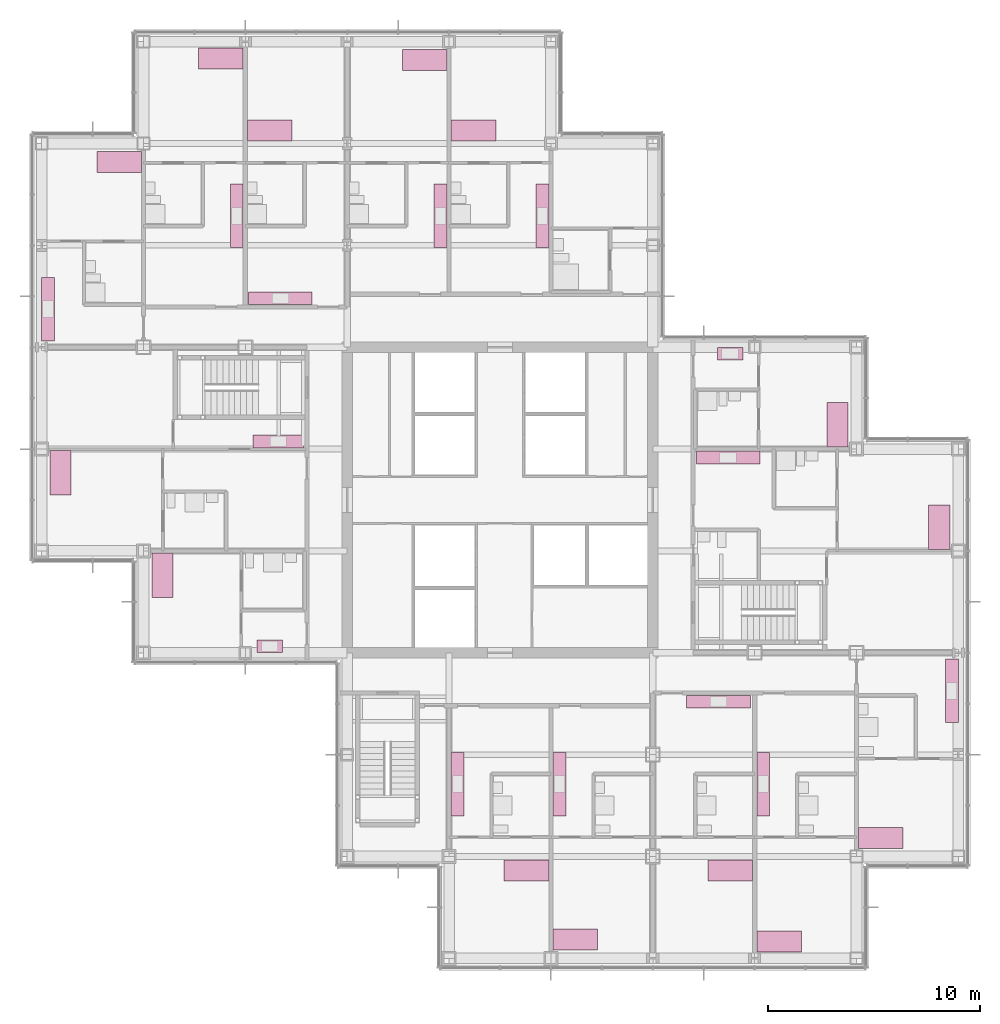
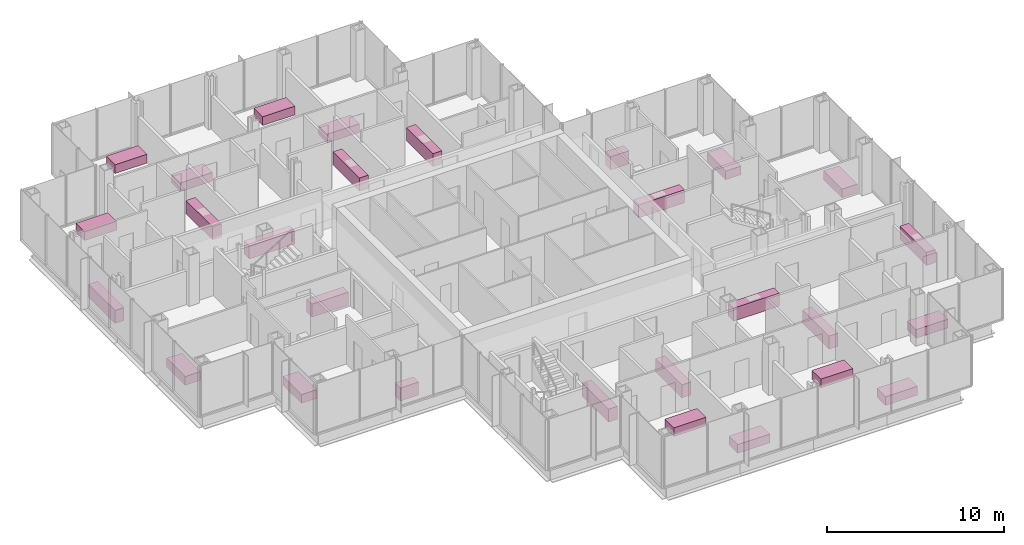
# One storey, part 19 of 19: 28 furniture elements.
"""IFC4 building model written with IfcOpenShell, lengths in metres."""

from ifc_helpers import new_model, si_unit, direction, frame, origin, origin_2d, place, context, subcontext, project, spatial, rectangle, extrude, material, type_object, element, save


model = new_model("IFC4")

# Units and contexts
model_context = context("Model", 3, precision=1e-05, world=origin(), true_north=direction((0.0, 1.0)))
body_context = subcontext(model_context, "Body", "Model", "MODEL_VIEW")
ifc_project = project(units=[si_unit("LENGTHUNIT", "METRE"), si_unit("AREAUNIT", "SQUARE_METRE"), si_unit("VOLUMEUNIT", "CUBIC_METRE"), si_unit("PLANEANGLEUNIT", "RADIAN"), si_unit("MASSUNIT", "GRAM", prefix="KILO")], contexts=[model_context])

# Site, building, storey
site_placement = place(None, origin())
site = spatial("IfcSite", under=ifc_project, at=site_placement, CompositionType="ELEMENT")
building_placement = place(site_placement, origin())
building = spatial("IfcBuilding", under=site, at=building_placement, Name="Kvirike Care Tower", CompositionType="ELEMENT")
storey_placement = place(building_placement, frame((0.0, 0.0, 87.5)))
storey = spatial("IfcBuildingStorey", under=building, at=storey_placement, Name="L23", CompositionType="ELEMENT", Elevation=87.5)

# Furniture
ifc_material_1 = material(Name="Steel frame", Category="steel")
furniture_type_1 = type_object("IfcFurnitureType", Name="CARE BED 1000 x 2100", AssemblyPlace="FACTORY", PredefinedType="BED", material=ifc_material_1)
for number, where, z_axis, x_axis, name in (
    (1, (0.89501953125, 37.2880859375, 0.0), (0.0, 0.0, 1.0), (1.0, 0.0, 0.0), "Care bed L23-004"),
    (2, (5.695068359375, 32.447998046875, 0.0), (0.0, 0.0, 1.0), (1.0, 0.0, 0.0), "Care bed L23-008"),
    (3, (10.751953125, 53.409912109375, 0.0), (0.0, 0.0, 1.0), (0.0, 1.0, 0.0), "Care bed L23-012"),
    (4, (8.447998046875, 56.802978515625, 0.0), (0.0, 0.0, 1.0), (0.0, -1.0, 0.0), "Care bed L23-015"),
    (5, (3.64794921875, 51.929931640625, 0.0), (0.0, 0.0, 1.0), (0.0, -1.0, 0.0), "Care bed L23-018"),
    (6, (22.847900390625, 18.5400390625, 0.0), (0.0, 0.0, 1.0), (0.0, -1.0, 0.0), "Care bed L23-024"),
    (7, (25.152099609375, 15.294921875, 0.0), (0.0, 0.0, 1.0), (0.0, 1.0, 0.0), "Care bed L23-027"),
    (8, (20.35205078125, 53.409912109375, 0.0), (0.0, 0.0, 1.0), (0.0, 1.0, 0.0), "Care bed L23-034"),
    (9, (18.048095703125, 56.72998046875, 0.0), (0.0, 0.0, 1.0), (0.0, -1.0, 0.0), "Care bed L23-037"),
    (10, (32.447998046875, 18.5400390625, 0.0), (0.0, 0.0, 1.0), (0.0, -1.0, 0.0), "Care bed L23-041"),
    (11, (34.751953125, 15.197021484375, 0.0), (0.0, 0.0, 1.0), (0.0, 1.0, 0.0), "Care bed L23-044"),
    (12, (39.552001953125, 20.070068359375, 0.0), (0.0, 0.0, 1.0), (0.0, 1.0, 0.0), "Care bed L23-047"),
    (13, (42.304931640625, 34.7119140625, 0.0), (0.0, 0.0, 1.0), (-1.0, 0.0, 0.0), "Care bed L23-053"),
    (14, (37.5048828125, 39.552001953125, 0.0), (0.0, 0.0, 1.0), (-1.0, 0.0, 0.0), "Care bed L23-057"),
):
    element("IfcFurniture", number, at=place(storey_placement, frame(where, z_axis=z_axis, x_axis=x_axis)), inside=storey, type_object=furniture_type_1, Name=name, PredefinedType="BED", context=body_context, shape_type="SweptSolid", body=[
        extrude(rectangle(XDim=1.0, YDim=2.10009765625, at=origin_2d()), origin(), (0.0, 0.0, 1.0), 0.60009765625),
    ])
ifc_material_2 = material(Name="Laminated board", Category="wood")
furniture_type_2 = type_object("IfcFurnitureType", Name="KITCHEN UNIT RUN 600", AssemblyPlace="FACTORY", PredefinedType="USERDEFINED", material=ifc_material_2)
furniture_1_placement = place(storey_placement, frame((11.14990234375, 38.761962890625, 0.0), z_axis=(0.0, 0.0, 1.0), x_axis=(-1.0, 0.0, 0.0)))
element("IfcFurniture", 15, at=furniture_1_placement, inside=storey, type_object=furniture_type_2, Name="Kitchen unit run L23-006", ObjectType="KITCHEN UNIT", PredefinedType="USERDEFINED", context=body_context, shape_type="SweptSolid", body=[
    extrude(rectangle(XDim=2.39990234375, YDim=0.60009765625, at=origin_2d()), origin(), (0.0, 0.0, 1.0), 0.89990234375),
])
furniture_2_placement = place(storey_placement, frame((10.75, 29.10205078125, 0.0), z_axis=(0.0, 0.0, 1.0), x_axis=(-1.0, 0.0, 0.0)))
element("IfcFurniture", 16, at=furniture_2_placement, inside=storey, type_object=furniture_type_2, Name="Kitchen unit run L23-010", ObjectType="KITCHEN UNIT", PredefinedType="USERDEFINED", context=body_context, shape_type="SweptSolid", body=[
    extrude(rectangle(XDim=1.199951171875, YDim=0.60009765625, at=origin_2d()), origin(), (0.0, 0.0, 1.0), 0.89990234375),
])
for number, where, z_axis, x_axis, name in (
    (17, (11.25, 45.501953125, 0.0), (0.0, 0.0, 1.0), (-1.0, 0.0, 0.0), "Kitchen unit run L23-014"),
    (18, (9.197998046875, 49.389892578125, 0.0), (0.0, 0.0, 1.0), (0.0, -1.0, 0.0), "Kitchen unit run L23-017"),
    (19, (0.302001953125, 44.9970703125, 0.0), (0.0, 0.0, 1.0), (0.0, 1.0, 0.0), "Kitchen unit run L23-020"),
    (20, (19.60205078125, 22.610107421875, 0.0), (0.0, 0.0, 1.0), (0.0, 1.0, 0.0), "Kitchen unit run L23-026"),
    (21, (24.402099609375, 22.610107421875, 0.0), (0.0, 0.0, 1.0), (0.0, 1.0, 0.0), "Kitchen unit run L23-029"),
    (22, (23.597900390625, 49.389892578125, 0.0), (0.0, 0.0, 1.0), (0.0, -1.0, 0.0), "Kitchen unit run L23-036"),
    (23, (18.798095703125, 49.389892578125, 0.0), (0.0, 0.0, 1.0), (0.0, -1.0, 0.0), "Kitchen unit run L23-039"),
    (24, (31.89990234375, 26.498046875, 0.0), (0.0, 0.0, 1.0), (1.0, 0.0, 0.0), "Kitchen unit run L23-043"),
    (25, (34.001953125, 22.610107421875, 0.0), (0.0, 0.0, 1.0), (0.0, 1.0, 0.0), "Kitchen unit run L23-046"),
    (26, (42.89794921875, 27.0029296875, 0.0), (0.0, 0.0, 1.0), (0.0, -1.0, 0.0), "Kitchen unit run L23-049"),
    (27, (32.35009765625, 37.998046875, 0.0), (0.0, 0.0, 1.0), (1.0, 0.0, 0.0), "Kitchen unit run L23-056"),
):
    element("IfcFurniture", number, at=place(storey_placement, frame(where, z_axis=z_axis, x_axis=x_axis)), inside=storey, type_object=furniture_type_2, Name=name, ObjectType="KITCHEN UNIT", PredefinedType="USERDEFINED", context=body_context, shape_type="SweptSolid", body=[
        extrude(rectangle(XDim=3.0, YDim=0.60009765625, at=origin_2d()), origin(), (0.0, 0.0, 1.0), 0.89990234375),
    ])
furniture_3_placement = place(storey_placement, frame((32.449951171875, 42.89794921875, 0.0), z_axis=(0.0, 0.0, 1.0), x_axis=(1.0, 0.0, 0.0)))
element("IfcFurniture", 28, at=furniture_3_placement, inside=storey, type_object=furniture_type_2, Name="Kitchen unit run L23-059", ObjectType="KITCHEN UNIT", PredefinedType="USERDEFINED", context=body_context, shape_type="SweptSolid", body=[
    extrude(rectangle(XDim=1.199951171875, YDim=0.60009765625, at=origin_2d()), origin(), (0.0, 0.0, 1.0), 0.89990234375),
])

save(model, "model.ifc")
